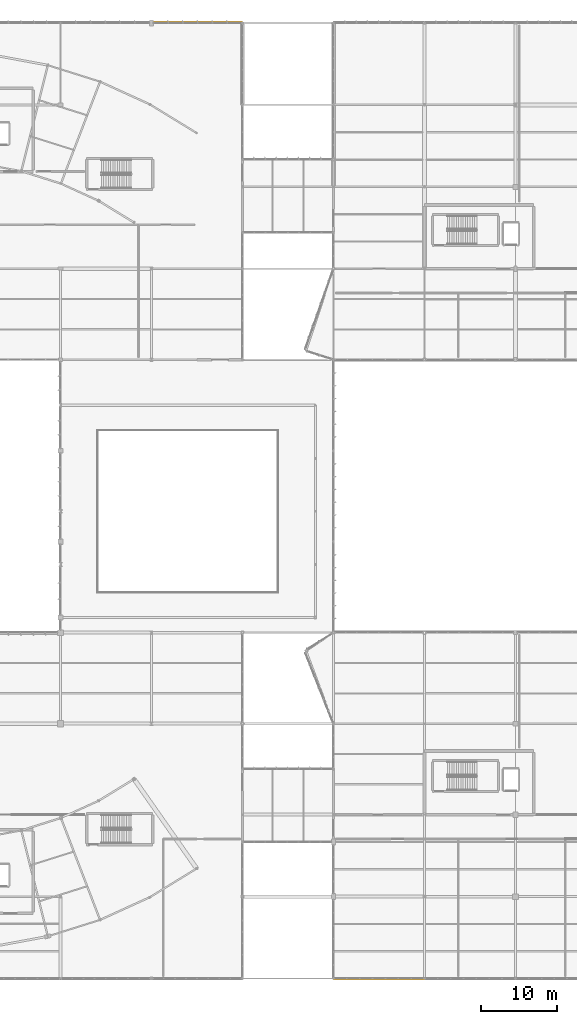
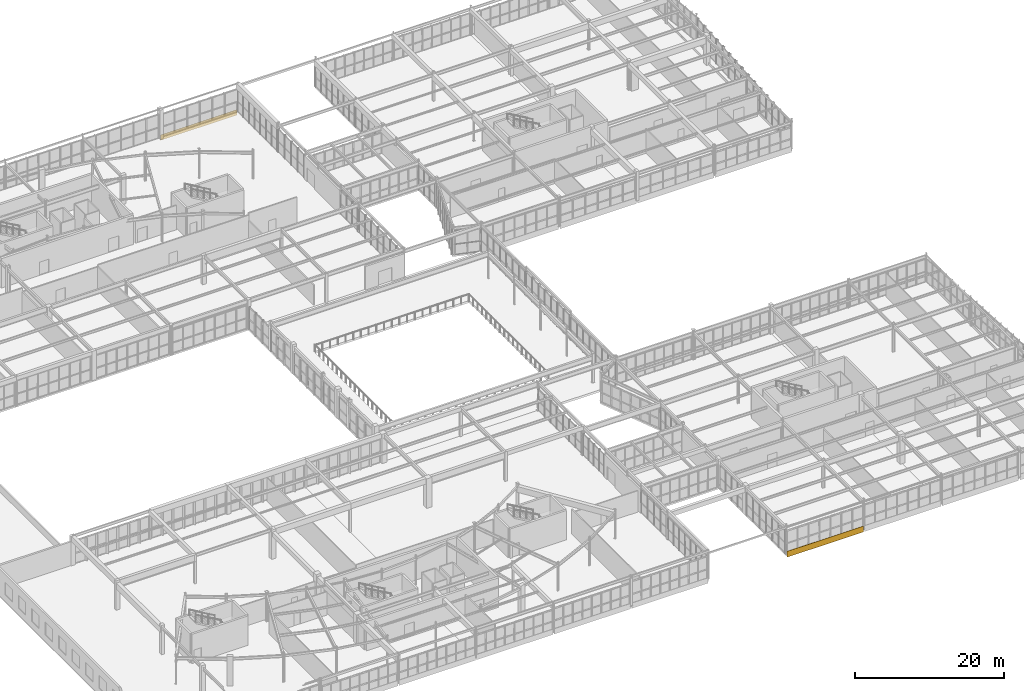
# One storey, part 176 of 186: 2 coverings.
"""IFC4 building model written with IfcOpenShell, lengths in metres."""

from ifc_helpers import new_model, si_unit, direction, frame, origin, origin_2d, place, context, subcontext, project, spatial, rectangle, extrude, material, layer, layer_set, type_object, element, save


model = new_model("IFC4")

# Units and contexts
model_context = context("Model", 3, precision=1e-05, world=origin(), true_north=direction((0.0, 1.0)))
body_context = subcontext(model_context, "Body", "Model", "MODEL_VIEW")
ifc_project = project(units=[si_unit("LENGTHUNIT", "METRE"), si_unit("AREAUNIT", "SQUARE_METRE"), si_unit("VOLUMEUNIT", "CUBIC_METRE"), si_unit("PLANEANGLEUNIT", "RADIAN"), si_unit("MASSUNIT", "GRAM", prefix="KILO")], contexts=[model_context])

# Site, building, storey
site_placement = place(None, origin())
site = spatial("IfcSite", under=ifc_project, at=site_placement, CompositionType="ELEMENT")
building_placement = place(site_placement, origin())
building = spatial("IfcBuilding", under=site, at=building_placement, Name="Tarnwether General Hospital", CompositionType="ELEMENT")
storey_placement = place(building_placement, frame((0.0, 0.0, 9.60009765625)))
storey = spatial("IfcBuildingStorey", under=building, at=storey_placement, Name="L02", CompositionType="ELEMENT", Elevation=9.60009765625)

# Coverings
ifc_material = material(Name="Folded zinc-titanium cladding")
ifc_layer = layer(ifc_material, 0.0400390625)
ifc_layer_set = layer_set([ifc_layer], Name="Folded zinc-titanium cladding")
covering_type = type_object("IfcCoveringType", Name="CV-CLD-ZNC", PredefinedType="CLADDING", material=ifc_layer_set)
covering_1_placement = place(storey_placement, frame((150.0, -0.090087890625, -0.55517578125), z_axis=(0.0, 0.0, 1.0), x_axis=(1.0, 0.0, 0.0)))
element("IfcCovering", 1, at=covering_1_placement, inside=storey, type_object=covering_type, Name="Deconstructivist Faceted Zinc Spandrel Blade 023", PredefinedType="CLADDING", context=body_context, shape_type="SweptSolid", body=[
    extrude(rectangle(XDim=11.800048828125, YDim=0.0400390625, at=origin_2d()), origin(), (0.0, 0.0, 1.0), 0.949951171875),
])
covering_2_placement = place(storey_placement, frame((126.0, 126.090087890625, -0.52001953125), z_axis=(0.0, 0.0, 1.0), x_axis=(1.0, 0.0, 0.0)))
element("IfcCovering", 2, at=covering_2_placement, inside=storey, type_object=covering_type, Name="Diagnostic Base Faceted Zinc Spandrel 088", PredefinedType="CLADDING", context=body_context, shape_type="SweptSolid", body=[
    extrude(rectangle(XDim=11.800048828125, YDim=0.0400390625, at=origin_2d()), origin(), (0.0, 0.0, 1.0), 0.8798828125),
])

save(model, "model.ifc")
